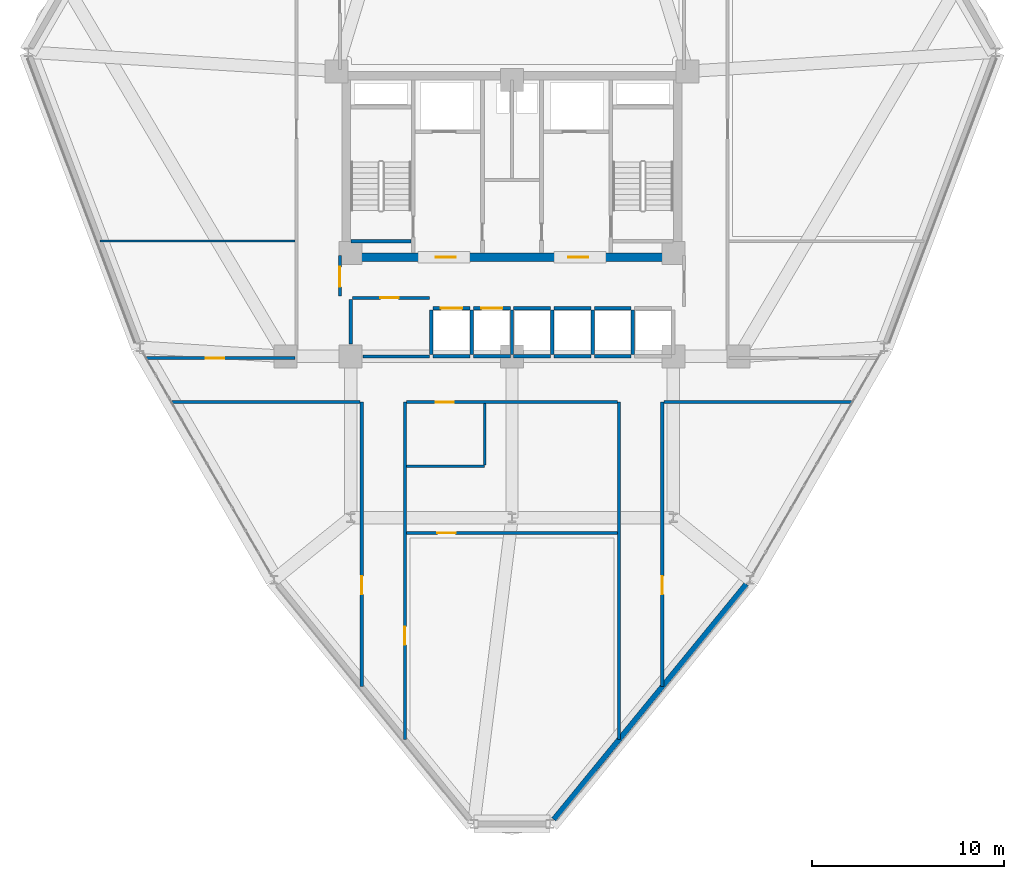
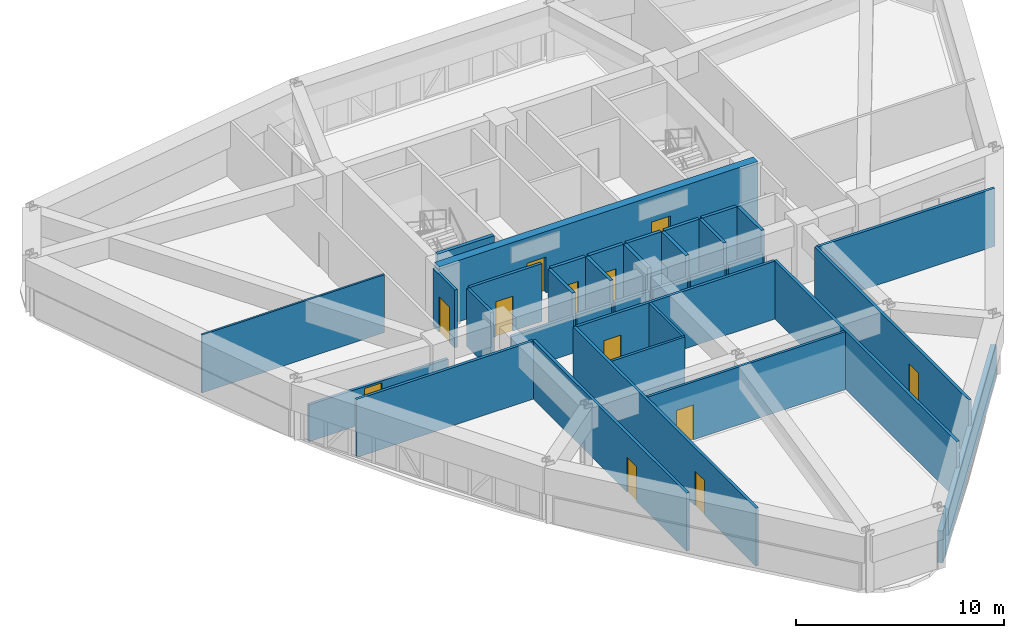
# One storey, part 10 of 15: 35 walls, 12 doors, 12 openings.
"""IFC4 building model written with IfcOpenShell, lengths in metres."""

import ifcopenshell
import ifcopenshell.guid

model = None  # the IFC model being written
_history = None  # IfcOwnerHistory: only IFC2X3 demands one
_inside = {}  # id of a spatial element -> (the spatial element, [elements in it])
_under = {}  # id of a project, library or spatial element -> (it, [spatial elements below it])
_declared = {}  # id of a project -> (the project, [libraries it declares])
_typed = {}  # id of a type object -> (the type object, [elements of that type])
_made_of = {}  # id of a material, layer set ... -> (it, [elements and type objects made of it])


def new_model(schema):
    """Start an empty IFC model of exactly this schema.

    Asked for "IFC4X3", IfcOpenShell would pick the latest addendum, in which some entities
    have other attributes; the version numbers below select the first issue.
    IFC2X3 requires an IfcOwnerHistory on every rooted entity: one is made here for all.
    """
    global model, _history
    if schema == "IFC4X3":
        model = ifcopenshell.file(schema_version=(4, 3, 0, 0))
    else:
        model = ifcopenshell.file(schema=schema)
    _inside.clear()
    _under.clear()
    _declared.clear()
    _typed.clear()
    _made_of.clear()
    _history = None
    if model.schema == "IFC2X3":
        org = make("IfcOrganization", Name="unknown")
        user = make(
            "IfcPersonAndOrganization",
            ThePerson=make("IfcPerson", FamilyName="unknown"),
            TheOrganization=org,
        )
        app = make(
            "IfcApplication",
            ApplicationDeveloper=org,
            Version="unknown",
            ApplicationFullName="unknown",
            ApplicationIdentifier="unknown",
        )
        _history = make(
            "IfcOwnerHistory",
            OwningUser=user,
            OwningApplication=app,
            ChangeAction="ADDED",
            CreationDate=0,
        )
    return model


def make(cls, **values):
    """One entity of the class cls with the attributes given. An attribute that is None is left unset."""
    return model.create_entity(
        cls, **{name: value for name, value in values.items() if value is not None}
    )


def rooted(cls, **values):
    """An entity with a GlobalId (a new one), such as an element, a storey or a relation."""
    return make(cls, GlobalId=ifcopenshell.guid.new(), OwnerHistory=_history, **values)


def si_unit(unit_type, name, prefix=None):
    """IfcSIUnit, for example si_unit("LENGTHUNIT", "METRE", prefix="MILLI")."""
    return make("IfcSIUnit", UnitType=unit_type, Prefix=prefix, Name=name)


def derived_unit(unit_type, elements):
    """IfcDerivedUnit: a product of units, each with its exponent."""
    return make(
        "IfcDerivedUnit",
        Elements=[
            make("IfcDerivedUnitElement", Unit=unit, Exponent=power)
            for unit, power in elements
        ],
        UnitType=unit_type,
    )


def assignment(units):
    """IfcUnitAssignment: the units of a project."""
    return None if units is None else make("IfcUnitAssignment", Units=units)


def point(xyz):
    """IfcCartesianPoint."""
    return None if xyz is None else make("IfcCartesianPoint", Coordinates=xyz)


def direction(xyz):
    """IfcDirection."""
    return None if xyz is None else make("IfcDirection", DirectionRatios=xyz)


def frame(location, z_axis=None, x_axis=None):
    """IfcAxis2Placement3D, a coordinate frame: its origin and axes. An axis left out is left unset."""
    return make(
        "IfcAxis2Placement3D",
        Location=point(location),
        Axis=direction(z_axis),
        RefDirection=direction(x_axis),
    )


def frame_2d(location, x_axis=None):
    """IfcAxis2Placement2D, a coordinate frame in the plane: its origin and x axis."""
    return make(
        "IfcAxis2Placement2D", Location=point(location), RefDirection=direction(x_axis)
    )


def origin():
    """The frame at (0, 0, 0) with its axes left unset."""
    return frame((0.0, 0.0, 0.0))


def place(relative_to, where):
    """IfcLocalPlacement: puts the frame where relative to a parent placement (None: the world)."""
    return make(
        "IfcLocalPlacement", PlacementRelTo=relative_to, RelativePlacement=where
    )


def context(
    kind, dimensions, precision=None, world=None, true_north=None, identifier=None
):
    """IfcGeometricRepresentationContext, for example the 3D "Model" context."""
    return make(
        "IfcGeometricRepresentationContext",
        ContextIdentifier=identifier,
        ContextType=kind,
        CoordinateSpaceDimension=dimensions,
        Precision=precision,
        WorldCoordinateSystem=world,
        TrueNorth=true_north,
    )


def subcontext(parent, identifier, kind, view, scale=None):
    """IfcGeometricRepresentationSubContext, for example "Body" below "Model"."""
    return make(
        "IfcGeometricRepresentationSubContext",
        ContextIdentifier=identifier,
        ContextType=kind,
        ParentContext=parent,
        TargetScale=scale,
        TargetView=view,
    )


def project(units=None, contexts=None):
    """IfcProject with its units and contexts."""
    return rooted(
        "IfcProject",
        Name="project",
        RepresentationContexts=contexts,
        UnitsInContext=assignment(units),
    )


def spatial(cls, under=None, at=None, **own):
    """A site, building, storey or space (cls), placed at a placement, below another one or the project."""
    s = rooted(cls, ObjectPlacement=at, **own)
    if under is not None:
        _under.setdefault(under.id(), (under, []))[1].append(s)
    return s


def profile(cls, at=None, kind="AREA", **sizes):
    """A parametric profile (cls). Its sizes go by their IFC names, for example OverallWidth=200.0."""
    return make(cls, ProfileType=kind, Position=at, **sizes)


def rectangle(**sizes):
    """IfcRectangleProfileDef."""
    return profile("IfcRectangleProfileDef", **sizes)


def extrude(swept, where, along, depth):
    """IfcExtrudedAreaSolid: the profile swept, set in the frame where, extruded along a direction by depth."""
    return make(
        "IfcExtrudedAreaSolid",
        SweptArea=swept,
        Position=where,
        ExtrudedDirection=direction(along),
        Depth=depth,
    )


def shape(context_of_items, identifier, shape_type, items):
    """IfcShapeRepresentation: the items that make up one representation, for example the "Body"."""
    return make(
        "IfcShapeRepresentation",
        ContextOfItems=context_of_items,
        RepresentationIdentifier=identifier,
        RepresentationType=shape_type,
        Items=items,
    )


def material(Name=None, Category=None):
    """IfcMaterial."""
    return make("IfcMaterial", Name=Name, Category=Category)


def layer(
    of_material, thickness, ventilated=None, Name=None, Category=None, Priority=None
):
    """IfcMaterialLayer: one layer of a wall or slab, of a material (None: an air gap)."""
    return make(
        "IfcMaterialLayer",
        Material=of_material,
        LayerThickness=thickness,
        IsVentilated=ventilated,
        Name=Name,
        Category=Category,
        Priority=Priority,
    )


def layer_set(layers, Name=None):
    """IfcMaterialLayerSet."""
    return make("IfcMaterialLayerSet", MaterialLayers=layers, LayerSetName=Name)


def made_of(thing, what):
    """Note that an element or type object is made of a material, layer set ...; save() writes the relation."""
    if what is not None:
        _made_of.setdefault(what.id(), (what, []))[1].append(thing)
    return thing


def type_object(cls, material=None, **own):
    """A type object (cls), such as IfcWallType, which elements share."""
    return made_of(rooted(cls, **own), material)


def element(
    cls,
    number,
    at=None,
    inside=None,
    cuts=None,
    type_object=None,
    material=None,
    context=None,
    identifier="Body",
    shape_type=None,
    held_by="IfcProductDefinitionShape",
    body=None,
    shapes=None,
    **own,
):
    """One element of the class cls, such as IfcWall. Its Tag is "e" and its number.

    at: its placement. inside: the storey or other place that contains it. cuts: it is an
    opening in that element (IfcRelVoidsElement). A single representation is given by context,
    identifier, shape_type and body (its items); several are given by shapes. held_by: the class
    of the entity that holds the representations. save() writes the other relations.
    """
    e = rooted(cls, Tag="e%d" % number, ObjectPlacement=at, **own)
    if body is not None:
        shapes = [shape(context, identifier, shape_type, body)]
    if shapes is not None:
        e.Representation = make(held_by, Representations=shapes)
    if inside is not None:
        _inside.setdefault(inside.id(), (inside, []))[1].append(e)
    if cuts is not None:
        rooted(
            "IfcRelVoidsElement", RelatingBuildingElement=cuts, RelatedOpeningElement=e
        )
    if type_object is not None:
        _typed.setdefault(type_object.id(), (type_object, []))[1].append(e)
    return made_of(e, material)


def fill(opening, filler):
    """IfcRelFillsElement: the door or window that sits in an opening."""
    return rooted(
        "IfcRelFillsElement",
        RelatingOpeningElement=opening,
        RelatedBuildingElement=filler,
    )


def aggregate(whole, parts):
    """IfcRelAggregates: a whole, such as a stair, and the parts it consists of."""
    return rooted("IfcRelAggregates", RelatingObject=whole, RelatedObjects=parts)


def save(model, path):
    """Write the relations noted so far, then the file.

    IfcRelAggregates (storeys below a building ...), IfcRelContainedInSpatialStructure (elements
    in a storey), IfcRelDefinesByType, IfcRelAssociatesMaterial and IfcRelDeclares: one each for
    every whole, place, type object, material and project.
    """
    for whole, parts in _under.values():
        aggregate(whole, parts)
    for where, things in _inside.values():
        rooted(
            "IfcRelContainedInSpatialStructure",
            RelatedElements=things,
            RelatingStructure=where,
        )
    for kind, things in _typed.values():
        rooted("IfcRelDefinesByType", RelatedObjects=things, RelatingType=kind)
    for what, things in _made_of.values():
        rooted("IfcRelAssociatesMaterial", RelatedObjects=things, RelatingMaterial=what)
    for by, libraries in _declared.values():
        rooted("IfcRelDeclares", RelatingContext=by, RelatedDefinitions=libraries)
    model.write(path)


model = new_model("IFC4")

# Units and contexts
model_context = context("Model", 3, precision=1e-05, world=origin(), true_north=direction((0.0, 1.0)))
body_context = subcontext(model_context, "Body", "Model", "MODEL_VIEW")
ifc_project = project(units=[si_unit("LENGTHUNIT", "METRE"), si_unit("AREAUNIT", "SQUARE_METRE"), si_unit("VOLUMEUNIT", "CUBIC_METRE"), si_unit("PLANEANGLEUNIT", "RADIAN"), si_unit("MASSUNIT", "GRAM", prefix="KILO"), derived_unit("THERMALTRANSMITTANCEUNIT", [(si_unit("POWERUNIT", "WATT"), 1), (si_unit("LENGTHUNIT", "METRE"), -2), (si_unit("THERMODYNAMICTEMPERATUREUNIT", "KELVIN"), -1)])], contexts=[model_context])

# Site, building, storey
site_placement = place(None, origin())
site = spatial("IfcSite", under=ifc_project, at=site_placement, CompositionType="ELEMENT")
building_placement = place(site_placement, origin())
building = spatial("IfcBuilding", under=site, at=building_placement, Name="Korsvarv Bourse and Concert Hall", CompositionType="ELEMENT")
storey_placement = place(building_placement, frame((0.0, 0.0, 109.800048828125)))
storey = spatial("IfcBuildingStorey", under=building, at=storey_placement, Name="L27", CompositionType="ELEMENT", Elevation=109.800048828125)

# Wall
ifc_material_1 = material(Name="Concrete C50/60", Category="concrete")
ifc_layer_1 = layer(ifc_material_1, 0.3798828125)
ifc_layer_set_1 = layer_set([ifc_layer_1], Name="Concrete C50/60")
wall_type_1 = type_object("IfcWallType", Name="WL-CORE-380", PredefinedType="SHEAR", material=ifc_layer_set_1)
wall_1_placement = place(storey_placement, frame((27.610107421875, 38.39990234375, 0.0), z_axis=(0.0, 0.0, 1.0), x_axis=(1.0, 0.0, 0.0)))
element("IfcWall", 1, at=wall_1_placement, inside=storey, type_object=wall_type_1, Name="L27 stair shaft structural wall W-L27-ST1-S", PredefinedType="SHEAR", context=body_context, shape_type="SweptSolid", body=[
    extrude(rectangle(XDim=3.139892578125, YDim=0.199951171875, at=frame_2d((1.56982421875, 0.0))), origin(), (0.0, 0.0, 1.0), 3.599853515625),
])

# Wall, openings, doors
ifc_material_2 = material(Name="Concrete C55/67", Category="concrete")
ifc_layer_2 = layer(ifc_material_2, 0.449951171875)
ifc_layer_set_2 = layer_set([ifc_layer_2], Name="Concrete C55/67")
wall_type_2 = type_object("IfcWallType", Name="WL-CORE-450", PredefinedType="SHEAR", material=ifc_layer_set_2)
wall_2_placement = place(storey_placement, frame((27.14990234375, 37.574951171875, 0.0), z_axis=(0.0, 0.0, 1.0), x_axis=(1.0, 0.0, 0.0)))
wall_2 = element("IfcWall", 2, at=wall_2_placement, inside=storey, type_object=wall_type_2, Name="L27 South Core Shear Wall", PredefinedType="SHEAR", context=body_context, shape_type="SweptSolid", body=[
    extrude(rectangle(XDim=17.7001953125, YDim=0.449951171875, at=frame_2d((8.85009765625, 0.0))), origin(), (0.0, 0.0, 1.0), 3.599853515625),
])
opening_1_placement = place(wall_2_placement, frame((4.875, 0.0, 0.0)))
opening_1 = element("IfcOpeningElement", 3, at=opening_1_placement, cuts=wall_2, Name="Opening D-01", PredefinedType="OPENING", context=body_context, shape_type="SweptSolid", body=[
    extrude(rectangle(XDim=1.050048828125, YDim=2.10009765625, at=frame_2d((0.52490234375, 1.050048828125))), frame((0.0, 0.23486328125, 0.0), z_axis=(0.0, -1.0, 0.0), x_axis=(1.0, 0.0, 0.0)), (0.0, 0.0, 1.0), 0.469970703125),
])
opening_2_placement = place(wall_2_placement, frame((11.77490234375, 0.0, 0.0)))
opening_2 = element("IfcOpeningElement", 4, at=opening_2_placement, cuts=wall_2, Name="Opening D-01", PredefinedType="OPENING", context=body_context, shape_type="SweptSolid", body=[
    extrude(rectangle(XDim=1.050048828125, YDim=2.10009765625, at=frame_2d((0.52490234375, 1.050048828125))), frame((0.0, 0.23486328125, 0.0), z_axis=(0.0, -1.0, 0.0), x_axis=(1.0, 0.0, 0.0)), (0.0, 0.0, 1.0), 0.469970703125),
])
ifc_material_3 = material(Name="Steel S355 fire door", Category="steel")
door_type_1 = type_object("IfcDoorType", Name="DR-FD60", OperationType="NOTDEFINED", PredefinedType="DOOR", material=ifc_material_3)
door_1_placement = place(opening_1_placement, frame((1.050048828125, 0.0, 0.0), z_axis=(0.0, 0.0, 1.0), x_axis=(-1.0, 0.0, 0.0)))
door_1 = element("IfcDoor", 5, at=door_1_placement, inside=storey, type_object=door_type_1, Name="L27 firefighting lobby fire door DR-L27-FFLW", OperationType="SINGLE_SWING_RIGHT", OverallHeight=2.10009765625, OverallWidth=1.050048828125, PredefinedType="DOOR", context=body_context, shape_type="SweptSolid", body=[
    extrude(rectangle(XDim=1.050048828125, YDim=2.10009765625, at=frame_2d((0.52490234375, 1.050048828125))), frame((0.0, 0.02490234375, 0.0), z_axis=(0.0, -1.0, 0.0), x_axis=(1.0, 0.0, 0.0)), (0.0, 0.0, 1.0), 0.050048828125),
])
fill(opening_1, door_1)
door_2_placement = place(opening_2_placement, frame((1.050048828125, 0.0, 0.0), z_axis=(0.0, 0.0, 1.0), x_axis=(-1.0, 0.0, 0.0)))
door_2 = element("IfcDoor", 6, at=door_2_placement, inside=storey, type_object=door_type_1, Name="L27 firefighting lobby fire door DR-L27-FFLE", OperationType="SINGLE_SWING_LEFT", OverallHeight=2.10009765625, OverallWidth=1.050048828125, PredefinedType="DOOR", context=body_context, shape_type="SweptSolid", body=[
    extrude(rectangle(XDim=1.050048828125, YDim=2.10009765625, at=frame_2d((0.52490234375, 1.050048828125))), frame((0.0, 0.02490234375, 0.0), z_axis=(0.0, -1.0, 0.0), x_axis=(1.0, 0.0, 0.0)), (0.0, 0.0, 1.0), 0.050048828125),
])
fill(opening_2, door_2)

# Walls
ifc_material_4 = material(Name="Precast concrete C45/55 with fluted terracotta pier", Category="concrete")
ifc_layer_3 = layer(ifc_material_4, 0.280029296875)
ifc_layer_set_3 = layer_set([ifc_layer_3], Name="Precast concrete C45/55 with fluted terracotta pier")
wall_type_3 = type_object("IfcWallType", Name="WL-EXT-TC2", PredefinedType="SOLIDWALL", material=ifc_layer_set_3)
wall_3_placement = place(storey_placement, frame((38.177490234375, 8.287353515625, 0.0), z_axis=(0.0, 0.0, 1.0), x_axis=(0.633140387555, 0.774036982092, 0.0)))
element("IfcWall", 7, at=wall_3_placement, inside=storey, type_object=wall_type_3, Name="L27 terracotta exterior wall EW-L27-B10", PredefinedType="SOLIDWALL", context=body_context, shape_type="SweptSolid", body=[
    extrude(rectangle(XDim=15.833984375, YDim=0.280029296875, at=frame_2d((7.9169921875, 0.0))), origin(), (0.0, 0.0, 1.0), 1.869873046875),
])
ifc_material_5 = material(Name="Double-stud fire-rated acoustic partition", Category="gypsum")
ifc_layer_4 = layer(ifc_material_5, 0.159912109375)
ifc_layer_set_4 = layer_set([ifc_layer_4], Name="Double-stud fire-rated acoustic partition")
wall_type_4 = type_object("IfcWallType", Name="WL-INT-EI60", PredefinedType="PARTITIONING", material=ifc_layer_set_4)
wall_4_placement = place(storey_placement, frame((28.25, 32.39990234375, 0.0), z_axis=(0.0, 0.0, 1.0), x_axis=(1.0, 0.0, 0.0)))
element("IfcWall", 8, at=wall_4_placement, inside=storey, type_object=wall_type_4, Name="L27 interior partition wall W-L27-FRD-S", PredefinedType="PARTITIONING", context=body_context, shape_type="SweptSolid", body=[
    extrude(rectangle(XDim=3.449951171875, YDim=0.159912109375, at=frame_2d((1.72509765625, 0.0))), origin(), (0.0, 0.0, 1.0), 2.159912109375),
])
wall_5_placement = place(storey_placement, frame((27.60009765625, 33.050048828125, 0.0), z_axis=(0.0, 0.0, 1.0), x_axis=(0.0, 1.0, 0.0)))
element("IfcWall", 9, at=wall_5_placement, inside=storey, type_object=wall_type_4, Name="L27 interior partition wall W-L27-FRD-W", PredefinedType="PARTITIONING", context=body_context, shape_type="SweptSolid", body=[
    extrude(rectangle(XDim=2.31005859375, YDim=0.159912109375, at=frame_2d((1.155029296875, 0.0))), origin(), (0.0, 0.0, 1.0), 3.39990234375),
])

# Wall, opening, door
wall_6_placement = place(storey_placement, frame((27.68994140625, 35.449951171875, 0.0), z_axis=(0.0, 0.0, 1.0), x_axis=(1.0, 0.0, 0.0)))
wall_6 = element("IfcWall", 10, at=wall_6_placement, inside=storey, type_object=wall_type_4, Name="L27 interior partition wall W-L27-FRD-N", PredefinedType="PARTITIONING", context=body_context, shape_type="SweptSolid", body=[
    extrude(rectangle(XDim=4.010009765625, YDim=0.159912109375, at=frame_2d((2.0048828125, 0.0))), origin(), (0.0, 0.0, 1.0), 3.39990234375),
])
opening_3_placement = place(wall_6_placement, frame((1.449951171875, 0.0, 0.0)))
opening_3 = element("IfcOpeningElement", 11, at=opening_3_placement, cuts=wall_6, Name="Opening D-03", PredefinedType="OPENING", context=body_context, shape_type="SweptSolid", body=[
    extrude(rectangle(XDim=0.949951171875, YDim=2.050048828125, at=frame_2d((0.47509765625, 1.02490234375))), frame((0.0, 0.08984375, 0.0), z_axis=(0.0, -1.0, 0.0), x_axis=(1.0, 0.0, 0.0)), (0.0, 0.0, 1.0), 0.179931640625),
])
ifc_material_6 = material(Name="Nordic oak acoustic office door", Category="wood")
door_type_2 = type_object("IfcDoorType", Name="DR-INT-1", OperationType="NOTDEFINED", PredefinedType="DOOR", material=ifc_material_6)
door_3_placement = place(opening_3_placement, origin())
door_3 = element("IfcDoor", 12, at=door_3_placement, inside=storey, type_object=door_type_2, Name="L27 interior door DR-L27-FRDN1", OperationType="SINGLE_SWING_LEFT", OverallHeight=2.050048828125, OverallWidth=0.949951171875, PredefinedType="DOOR", context=body_context, shape_type="SweptSolid", body=[
    extrude(rectangle(XDim=0.949951171875, YDim=2.050048828125, at=frame_2d((0.47509765625, 1.02490234375))), frame((0.0, 0.02490234375, 0.0), z_axis=(0.0, -1.0, 0.0), x_axis=(1.0, 0.0, 0.0)), (0.0, 0.0, 1.0), 0.050048828125),
])
fill(opening_3, door_3)

wall_7_placement = place(storey_placement, frame((27.0400390625, 35.5400390625, 0.0), z_axis=(0.0, 0.0, 1.0), x_axis=(0.0, 1.0, 0.0)))
wall_7 = element("IfcWall", 13, at=wall_7_placement, inside=storey, type_object=wall_type_4, Name="L27 interior partition wall W-L27-LOB-WL", PredefinedType="PARTITIONING", context=body_context, shape_type="SweptSolid", body=[
    extrude(rectangle(XDim=2.10986328125, YDim=0.159912109375, at=frame_2d((1.054931640625, 0.0))), origin(), (0.0, 0.0, 1.0), 3.39990234375),
])
opening_4_placement = place(wall_7_placement, frame((0.47998046875, 0.0, 0.0)))
opening_4 = element("IfcOpeningElement", 14, at=opening_4_placement, cuts=wall_7, Name="Opening D-01", PredefinedType="OPENING", context=body_context, shape_type="SweptSolid", body=[
    extrude(rectangle(XDim=1.050048828125, YDim=2.10009765625, at=frame_2d((0.52490234375, 1.050048828125))), frame((0.0, 0.08984375, 0.0), z_axis=(0.0, -1.0, 0.0), x_axis=(1.0, 0.0, 0.0)), (0.0, 0.0, 1.0), 0.179931640625),
])
door_4_placement = place(opening_4_placement, frame((1.050048828125, 0.0, 0.0), z_axis=(0.0, 0.0, 1.0), x_axis=(-1.0, 0.0, 0.0)))
door_4 = element("IfcDoor", 15, at=door_4_placement, inside=storey, type_object=door_type_1, Name="L27 interior door DR-L27-LOBW", OperationType="SINGLE_SWING_RIGHT", OverallHeight=2.10009765625, OverallWidth=1.050048828125, PredefinedType="DOOR", context=body_context, shape_type="SweptSolid", body=[
    extrude(rectangle(XDim=1.050048828125, YDim=2.10009765625, at=frame_2d((0.52490234375, 1.050048828125))), frame((0.0, 0.02490234375, 0.0), z_axis=(0.0, -1.0, 0.0), x_axis=(1.0, 0.0, 0.0)), (0.0, 0.0, 1.0), 0.050048828125),
])
fill(opening_4, door_4)

wall_8_placement = place(storey_placement, frame((30.425048828125, 12.4609375, 0.0), z_axis=(0.0, 0.0, 1.0), x_axis=(0.0, 1.0, 0.0)))
wall_8 = element("IfcWall", 16, at=wall_8_placement, inside=storey, type_object=wall_type_4, Name="L27 interior partition wall W-L27-TCOR-03", PredefinedType="PARTITIONING", context=body_context, shape_type="SweptSolid", body=[
    extrude(rectangle(XDim=17.569091796875, YDim=0.159912109375, at=frame_2d((8.78466796875, 0.0))), origin(), (0.0, 0.0, 1.0), 3.39990234375),
])
opening_5_placement = place(wall_8_placement, frame((4.915771484375, 0.0, 0.0)))
opening_5 = element("IfcOpeningElement", 17, at=opening_5_placement, cuts=wall_8, Name="Opening D-02", PredefinedType="OPENING", context=body_context, shape_type="SweptSolid", body=[
    extrude(rectangle(XDim=0.949951171875, YDim=2.050048828125, at=frame_2d((0.47509765625, 1.02490234375))), frame((0.0, 0.08984375, 0.0), z_axis=(0.0, -1.0, 0.0), x_axis=(1.0, 0.0, 0.0)), (0.0, 0.0, 1.0), 0.179931640625),
])
ifc_material_7 = material(Name="Timber and steel acoustic fire door", Category="wood")
door_type_3 = type_object("IfcDoorType", Name="DR-FD30", OperationType="NOTDEFINED", PredefinedType="DOOR", material=ifc_material_7)
door_5_placement = place(opening_5_placement, origin())
door_5 = element("IfcDoor", 18, at=door_5_placement, inside=storey, type_object=door_type_3, Name="L27 interior door DR-L27-TCOR-CL25", OperationType="SINGLE_SWING_RIGHT", OverallHeight=2.050048828125, OverallWidth=0.949951171875, PredefinedType="DOOR", context=body_context, shape_type="SweptSolid", body=[
    extrude(rectangle(XDim=0.949951171875, YDim=2.050048828125, at=frame_2d((0.47509765625, 1.02490234375))), frame((0.0, 0.02490234375, 0.0), z_axis=(0.0, -1.0, 0.0), x_axis=(1.0, 0.0, 0.0)), (0.0, 0.0, 1.0), 0.050048828125),
])
fill(opening_5, door_5)

# Wall
wall_9_placement = place(storey_placement, frame((41.574951171875, 12.4609375, 0.0), z_axis=(0.0, 0.0, 1.0), x_axis=(0.0, 1.0, 0.0)))
element("IfcWall", 19, at=wall_9_placement, inside=storey, type_object=wall_type_4, Name="L27 interior partition wall W-L27-TCOR-04", PredefinedType="PARTITIONING", context=body_context, shape_type="SweptSolid", body=[
    extrude(rectangle(XDim=17.569091796875, YDim=0.159912109375, at=frame_2d((8.78466796875, 0.0))), origin(), (0.0, 0.0, 1.0), 3.39990234375),
])

# Wall, opening, door
wall_10_placement = place(storey_placement, frame((28.175048828125, 15.211669921875, 0.0), z_axis=(0.0, 0.0, 1.0), x_axis=(0.0, 1.0, 0.0)))
wall_10 = element("IfcWall", 20, at=wall_10_placement, inside=storey, type_object=wall_type_4, Name="L27 interior partition wall W-L27-TCOR-05", PredefinedType="PARTITIONING", context=body_context, shape_type="SweptSolid", body=[
    extrude(rectangle(XDim=14.818359375, YDim=0.159912109375, at=frame_2d((7.4091796875, 0.0))), origin(), (0.0, 0.0, 1.0), 3.39990234375),
])
opening_6_placement = place(wall_10_placement, frame((4.800537109375, 0.0, 0.0)))
opening_6 = element("IfcOpeningElement", 21, at=opening_6_placement, cuts=wall_10, Name="Opening D-02", PredefinedType="OPENING", context=body_context, shape_type="SweptSolid", body=[
    extrude(rectangle(XDim=0.949951171875, YDim=2.050048828125, at=frame_2d((0.47509765625, 1.02490234375))), frame((0.0, 0.08984375, 0.0), z_axis=(0.0, -1.0, 0.0), x_axis=(1.0, 0.0, 0.0)), (0.0, 0.0, 1.0), 0.179931640625),
])
door_6_placement = place(opening_6_placement, origin())
door_6 = element("IfcDoor", 22, at=door_6_placement, inside=storey, type_object=door_type_3, Name="L27 interior door DR-L27-TCOR-GYM7", OperationType="SINGLE_SWING_LEFT", OverallHeight=2.050048828125, OverallWidth=0.949951171875, PredefinedType="DOOR", context=body_context, shape_type="SweptSolid", body=[
    extrude(rectangle(XDim=0.949951171875, YDim=2.050048828125, at=frame_2d((0.47509765625, 1.02490234375))), frame((0.0, 0.02490234375, 0.0), z_axis=(0.0, -1.0, 0.0), x_axis=(1.0, 0.0, 0.0)), (0.0, 0.0, 1.0), 0.050048828125),
])
fill(opening_6, door_6)

wall_11_placement = place(storey_placement, frame((43.824951171875, 15.211669921875, 0.0), z_axis=(0.0, 0.0, 1.0), x_axis=(0.0, 1.0, 0.0)))
wall_11 = element("IfcWall", 23, at=wall_11_placement, inside=storey, type_object=wall_type_4, Name="L27 interior partition wall W-L27-TCOR-06", PredefinedType="PARTITIONING", context=body_context, shape_type="SweptSolid", body=[
    extrude(rectangle(XDim=14.818359375, YDim=0.159912109375, at=frame_2d((7.4091796875, 0.0))), origin(), (0.0, 0.0, 1.0), 3.39990234375),
])
opening_7_placement = place(wall_11_placement, frame((4.800537109375, 0.0, 0.0)))
opening_7 = element("IfcOpeningElement", 24, at=opening_7_placement, cuts=wall_11, Name="Opening D-02", PredefinedType="OPENING", context=body_context, shape_type="SweptSolid", body=[
    extrude(rectangle(XDim=0.949951171875, YDim=2.050048828125, at=frame_2d((0.47509765625, 1.02490234375))), frame((0.0, 0.08984375, 0.0), z_axis=(0.0, -1.0, 0.0), x_axis=(1.0, 0.0, 0.0)), (0.0, 0.0, 1.0), 0.179931640625),
])
door_7_placement = place(opening_7_placement, origin())
door_7 = element("IfcDoor", 25, at=door_7_placement, inside=storey, type_object=door_type_3, Name="L27 interior door DR-L27-TCOR-SPA3", OperationType="SINGLE_SWING_RIGHT", OverallHeight=2.050048828125, OverallWidth=0.949951171875, PredefinedType="DOOR", context=body_context, shape_type="SweptSolid", body=[
    extrude(rectangle(XDim=0.949951171875, YDim=2.050048828125, at=frame_2d((0.47509765625, 1.02490234375))), frame((0.0, 0.02490234375, 0.0), z_axis=(0.0, -1.0, 0.0), x_axis=(1.0, 0.0, 0.0)), (0.0, 0.0, 1.0), 0.050048828125),
])
fill(opening_7, door_7)

wall_12_placement = place(storey_placement, frame((30.507080078125, 30.02490234375, 0.0), z_axis=(0.0, 0.0, 1.0), x_axis=(1.0, 0.0, 0.0)))
wall_12 = element("IfcWall", 26, at=wall_12_placement, inside=storey, type_object=wall_type_4, Name="L27 interior partition wall W-L27-TCOR-07", PredefinedType="PARTITIONING", context=body_context, shape_type="SweptSolid", body=[
    extrude(rectangle(XDim=10.98583984375, YDim=0.159912109375, at=frame_2d((5.492919921875, 0.0))), origin(), (0.0, 0.0, 1.0), 3.39990234375),
])
opening_8_placement = place(wall_12_placement, frame((1.51220703125, 0.0, 0.0)))
opening_8 = element("IfcOpeningElement", 27, at=opening_8_placement, cuts=wall_12, Name="Opening D-02", PredefinedType="OPENING", context=body_context, shape_type="SweptSolid", body=[
    extrude(rectangle(XDim=0.949951171875, YDim=2.050048828125, at=frame_2d((0.47509765625, 1.02490234375))), frame((0.0, 0.08984375, 0.0), z_axis=(0.0, -1.0, 0.0), x_axis=(1.0, 0.0, 0.0)), (0.0, 0.0, 1.0), 0.179931640625),
])
door_8_placement = place(opening_8_placement, origin())
door_8 = element("IfcDoor", 28, at=door_8_placement, inside=storey, type_object=door_type_3, Name="L27 interior door DR-L27-TCOR-RWC", OperationType="SINGLE_SWING_LEFT", OverallHeight=2.050048828125, OverallWidth=0.949951171875, PredefinedType="DOOR", context=body_context, shape_type="SweptSolid", body=[
    extrude(rectangle(XDim=0.949951171875, YDim=2.050048828125, at=frame_2d((0.47509765625, 1.02490234375))), frame((0.0, 0.02490234375, 0.0), z_axis=(0.0, -1.0, 0.0), x_axis=(1.0, 0.0, 0.0)), (0.0, 0.0, 1.0), 0.050048828125),
])
fill(opening_8, door_8)

# Walls
for number, where, z_axis, x_axis, name in (
    (29, (18.287109375, 30.02490234375, 0.0), (0.0, 0.0, 1.0), (1.0, 0.0, 0.0), "L27 interior partition wall W-L27-TCOR-08"),
    (30, (43.906982421875, 30.02490234375, 0.0), (0.0, 0.0, 1.0), (1.0, 0.0, 0.0), "L27 interior partition wall W-L27-TCOR-09"),
):
    element("IfcWall", number, at=place(storey_placement, frame(where, z_axis=z_axis, x_axis=x_axis)), inside=storey, type_object=wall_type_4, Name=name, PredefinedType="PARTITIONING", context=body_context, shape_type="SweptSolid", body=[
        extrude(rectangle(XDim=9.805908203125, YDim=0.159912109375, at=frame_2d((4.90283203125, 0.0))), origin(), (0.0, 0.0, 1.0), 3.39990234375),
    ])

# Wall, opening, door
wall_13_placement = place(storey_placement, frame((16.965087890625, 32.31494140625, 0.0), z_axis=(0.0, 0.0, 1.0), x_axis=(1.0, 0.0, 0.0)))
wall_13 = element("IfcWall", 31, at=wall_13_placement, inside=storey, type_object=wall_type_4, Name="L27 interior partition wall W-L27-TCOR-10", PredefinedType="PARTITIONING", context=body_context, shape_type="SweptSolid", body=[
    extrude(rectangle(XDim=7.72802734375, YDim=0.159912109375, at=frame_2d((3.864013671875, 0.0))), origin(), (0.0, 0.0, 1.0), 2.159912109375),
])
opening_9_placement = place(wall_13_placement, frame((3.0869140625, 0.0, 0.0)))
opening_9 = element("IfcOpeningElement", 32, at=opening_9_placement, cuts=wall_13, Name="Opening D-02", PredefinedType="OPENING", context=body_context, shape_type="SweptSolid", body=[
    extrude(rectangle(XDim=0.949951171875, YDim=2.050048828125, at=frame_2d((0.47509765625, 1.02490234375))), frame((0.0, 0.08984375, 0.0), z_axis=(0.0, -1.0, 0.0), x_axis=(1.0, 0.0, 0.0)), (0.0, 0.0, 1.0), 0.179931640625),
])
door_9_placement = place(opening_9_placement, origin())
door_9 = element("IfcDoor", 33, at=door_9_placement, inside=storey, type_object=door_type_3, Name="L27 interior door DR-L27-TCOR-YOG8", OperationType="SINGLE_SWING_RIGHT", OverallHeight=2.050048828125, OverallWidth=0.949951171875, PredefinedType="DOOR", context=body_context, shape_type="SweptSolid", body=[
    extrude(rectangle(XDim=0.949951171875, YDim=2.050048828125, at=frame_2d((0.47509765625, 1.02490234375))), frame((0.0, 0.02490234375, 0.0), z_axis=(0.0, -1.0, 0.0), x_axis=(1.0, 0.0, 0.0)), (0.0, 0.0, 1.0), 0.050048828125),
])
fill(opening_9, door_9)

ifc_material_8 = material(Name="Gypsum-clad autoclaved concrete shaft wall C30/37", Category="concrete")
ifc_layer_5 = layer(ifc_material_8, 0.179931640625)
ifc_layer_set_5 = layer_set([ifc_layer_5], Name="Gypsum-clad autoclaved concrete shaft wall C30/37")
wall_type_5 = type_object("IfcWallType", Name="WL-INT-EI90", PredefinedType="PARTITIONING", material=ifc_layer_set_5)
wall_14_placement = place(storey_placement, frame((31.889892578125, 34.89990234375, 0.0), z_axis=(0.0, 0.0, 1.0), x_axis=(1.0, 0.0, 0.0)))
wall_14 = element("IfcWall", 34, at=wall_14_placement, inside=storey, type_object=wall_type_5, Name="L27 interior partition wall W-L27-SHFN-PM1", PredefinedType="PARTITIONING", context=body_context, shape_type="SweptSolid", body=[
    extrude(rectangle(XDim=1.920166015625, YDim=0.179931640625, at=frame_2d((0.9599609375, 0.0))), origin(), (0.0, 0.0, 1.0), 3.39990234375),
])
opening_10_placement = place(wall_14_placement, frame((0.409912109375, 0.0, 0.0)))
opening_10 = element("IfcOpeningElement", 35, at=opening_10_placement, cuts=wall_14, Name="Opening LD-2", PredefinedType="OPENING", context=body_context, shape_type="SweptSolid", body=[
    extrude(rectangle(XDim=1.10009765625, YDim=2.10009765625, at=frame_2d((0.550048828125, 1.050048828125))), frame((0.0, 0.10009765625, 0.0), z_axis=(0.0, -1.0, 0.0), x_axis=(1.0, 0.0, 0.0)), (0.0, 0.0, 1.0), 0.199951171875),
])
ifc_material_9 = material(Name="Brushed stainless Steel S355 lift landing door", Category="steel")
door_type_4 = type_object("IfcDoorType", Name="DR-LIFT-P", OperationType="DOUBLE_DOOR_SLIDING", PredefinedType="DOOR", material=ifc_material_9)
door_10_placement = place(opening_10_placement, origin())
door_10 = element("IfcDoor", 36, at=door_10_placement, inside=storey, type_object=door_type_4, Name="L27 lift sliding landing door LD-L27-PM1", OperationType="DOUBLE_DOOR_SLIDING", OverallHeight=2.10009765625, OverallWidth=1.10009765625, PredefinedType="DOOR", context=body_context, shape_type="SweptSolid", body=[
    extrude(rectangle(XDim=1.10009765625, YDim=2.10009765625, at=frame_2d((0.550048828125, 1.050048828125))), frame((0.0, 0.02490234375, 0.0), z_axis=(0.0, -1.0, 0.0), x_axis=(1.0, 0.0, 0.0)), (0.0, 0.0, 1.0), 0.050048828125),
])
fill(opening_10, door_10)

# Walls
wall_15_placement = place(storey_placement, frame((31.889892578125, 32.39990234375, 0.0), z_axis=(0.0, 0.0, 1.0), x_axis=(1.0, 0.0, 0.0)))
element("IfcWall", 37, at=wall_15_placement, inside=storey, type_object=wall_type_5, Name="L27 interior partition wall W-L27-SHFS-PM1", PredefinedType="PARTITIONING", context=body_context, shape_type="SweptSolid", body=[
    extrude(rectangle(XDim=1.920166015625, YDim=0.179931640625, at=frame_2d((0.9599609375, 0.0))), origin(), (0.0, 0.0, 1.0), 2.159912109375),
])
wall_16_placement = place(storey_placement, frame((31.800048828125, 32.489990234375, 0.0), z_axis=(0.0, 0.0, 1.0), x_axis=(0.0, 1.0, 0.0)))
element("IfcWall", 38, at=wall_16_placement, inside=storey, type_object=wall_type_5, Name="L27 interior partition wall W-L27-SHFW-PM1", PredefinedType="PARTITIONING", context=body_context, shape_type="SweptSolid", body=[
    extrude(rectangle(XDim=2.320068359375, YDim=0.179931640625, at=frame_2d((1.16015625, 0.0))), origin(), (0.0, 0.0, 1.0), 3.39990234375),
])

# Wall, opening, door
wall_17_placement = place(storey_placement, frame((33.989990234375, 34.89990234375, 0.0), z_axis=(0.0, 0.0, 1.0), x_axis=(1.0, 0.0, 0.0)))
wall_17 = element("IfcWall", 39, at=wall_17_placement, inside=storey, type_object=wall_type_5, Name="L27 interior partition wall W-L27-SHFN-PM2", PredefinedType="PARTITIONING", context=body_context, shape_type="SweptSolid", body=[
    extrude(rectangle(XDim=1.919921875, YDim=0.179931640625, at=frame_2d((0.9599609375, 0.0))), origin(), (0.0, 0.0, 1.0), 3.39990234375),
])
opening_11_placement = place(wall_17_placement, frame((0.409912109375, 0.0, 0.0)))
opening_11 = element("IfcOpeningElement", 40, at=opening_11_placement, cuts=wall_17, Name="Opening LD-2", PredefinedType="OPENING", context=body_context, shape_type="SweptSolid", body=[
    extrude(rectangle(XDim=1.10009765625, YDim=2.10009765625, at=frame_2d((0.550048828125, 1.050048828125))), frame((0.0, 0.10009765625, 0.0), z_axis=(0.0, -1.0, 0.0), x_axis=(1.0, 0.0, 0.0)), (0.0, 0.0, 1.0), 0.199951171875),
])
door_11_placement = place(opening_11_placement, origin())
door_11 = element("IfcDoor", 41, at=door_11_placement, inside=storey, type_object=door_type_4, Name="L27 lift sliding landing door LD-L27-PM2", OperationType="DOUBLE_DOOR_SLIDING", OverallHeight=2.10009765625, OverallWidth=1.10009765625, PredefinedType="DOOR", context=body_context, shape_type="SweptSolid", body=[
    extrude(rectangle(XDim=1.10009765625, YDim=2.10009765625, at=frame_2d((0.550048828125, 1.050048828125))), frame((0.0, 0.02490234375, 0.0), z_axis=(0.0, -1.0, 0.0), x_axis=(1.0, 0.0, 0.0)), (0.0, 0.0, 1.0), 0.050048828125),
])
fill(opening_11, door_11)

# Walls
wall_18_placement = place(storey_placement, frame((33.989990234375, 32.39990234375, 0.0), z_axis=(0.0, 0.0, 1.0), x_axis=(1.0, 0.0, 0.0)))
element("IfcWall", 42, at=wall_18_placement, inside=storey, type_object=wall_type_5, Name="L27 interior partition wall W-L27-SHFS-PM2", PredefinedType="PARTITIONING", context=body_context, shape_type="SweptSolid", body=[
    extrude(rectangle(XDim=1.919921875, YDim=0.179931640625, at=frame_2d((0.9599609375, 0.0))), origin(), (0.0, 0.0, 1.0), 2.159912109375),
])
wall_19_placement = place(storey_placement, frame((33.89990234375, 32.489990234375, 0.0), z_axis=(0.0, 0.0, 1.0), x_axis=(0.0, 1.0, 0.0)))
element("IfcWall", 43, at=wall_19_placement, inside=storey, type_object=wall_type_5, Name="L27 interior partition wall W-L27-SHFW-PM2", PredefinedType="PARTITIONING", context=body_context, shape_type="SweptSolid", body=[
    extrude(rectangle(XDim=2.320068359375, YDim=0.179931640625, at=frame_2d((1.16015625, 0.0))), origin(), (0.0, 0.0, 1.0), 3.39990234375),
])
wall_20_placement = place(storey_placement, frame((36.090087890625, 34.89990234375, 0.0), z_axis=(0.0, 0.0, 1.0), x_axis=(1.0, 0.0, 0.0)))
element("IfcWall", 44, at=wall_20_placement, inside=storey, type_object=wall_type_5, Name="L27 interior partition wall W-L27-SHFN-PH1", PredefinedType="PARTITIONING", context=body_context, shape_type="SweptSolid", body=[
    extrude(rectangle(XDim=1.919921875, YDim=0.179931640625, at=frame_2d((0.9599609375, 0.0))), origin(), (0.0, 0.0, 1.0), 3.39990234375),
])
wall_21_placement = place(storey_placement, frame((36.090087890625, 32.39990234375, 0.0), z_axis=(0.0, 0.0, 1.0), x_axis=(1.0, 0.0, 0.0)))
element("IfcWall", 45, at=wall_21_placement, inside=storey, type_object=wall_type_5, Name="L27 interior partition wall W-L27-SHFS-PH1", PredefinedType="PARTITIONING", context=body_context, shape_type="SweptSolid", body=[
    extrude(rectangle(XDim=1.919921875, YDim=0.179931640625, at=frame_2d((0.9599609375, 0.0))), origin(), (0.0, 0.0, 1.0), 2.159912109375),
])
wall_22_placement = place(storey_placement, frame((36.0, 32.489990234375, 0.0), z_axis=(0.0, 0.0, 1.0), x_axis=(0.0, 1.0, 0.0)))
element("IfcWall", 46, at=wall_22_placement, inside=storey, type_object=wall_type_5, Name="L27 interior partition wall W-L27-SHFW-PH1", PredefinedType="PARTITIONING", context=body_context, shape_type="SweptSolid", body=[
    extrude(rectangle(XDim=2.320068359375, YDim=0.179931640625, at=frame_2d((1.16015625, 0.0))), origin(), (0.0, 0.0, 1.0), 3.39990234375),
])
wall_23_placement = place(storey_placement, frame((38.18994140625, 34.89990234375, 0.0), z_axis=(0.0, 0.0, 1.0), x_axis=(1.0, 0.0, 0.0)))
element("IfcWall", 47, at=wall_23_placement, inside=storey, type_object=wall_type_5, Name="L27 interior partition wall W-L27-SHFN-PH2", PredefinedType="PARTITIONING", context=body_context, shape_type="SweptSolid", body=[
    extrude(rectangle(XDim=1.920166015625, YDim=0.179931640625, at=frame_2d((0.9599609375, 0.0))), origin(), (0.0, 0.0, 1.0), 3.39990234375),
])
wall_24_placement = place(storey_placement, frame((38.18994140625, 32.39990234375, 0.0), z_axis=(0.0, 0.0, 1.0), x_axis=(1.0, 0.0, 0.0)))
element("IfcWall", 48, at=wall_24_placement, inside=storey, type_object=wall_type_5, Name="L27 interior partition wall W-L27-SHFS-PH2", PredefinedType="PARTITIONING", context=body_context, shape_type="SweptSolid", body=[
    extrude(rectangle(XDim=1.920166015625, YDim=0.179931640625, at=frame_2d((0.9599609375, 0.0))), origin(), (0.0, 0.0, 1.0), 2.159912109375),
])
wall_25_placement = place(storey_placement, frame((38.10009765625, 32.489990234375, 0.0), z_axis=(0.0, 0.0, 1.0), x_axis=(0.0, 1.0, 0.0)))
element("IfcWall", 49, at=wall_25_placement, inside=storey, type_object=wall_type_5, Name="L27 interior partition wall W-L27-SHFW-PH2", PredefinedType="PARTITIONING", context=body_context, shape_type="SweptSolid", body=[
    extrude(rectangle(XDim=2.320068359375, YDim=0.179931640625, at=frame_2d((1.16015625, 0.0))), origin(), (0.0, 0.0, 1.0), 3.39990234375),
])
wall_26_placement = place(storey_placement, frame((40.2900390625, 34.89990234375, 0.0), z_axis=(0.0, 0.0, 1.0), x_axis=(1.0, 0.0, 0.0)))
element("IfcWall", 50, at=wall_26_placement, inside=storey, type_object=wall_type_5, Name="L27 interior partition wall W-L27-SHFN-PO1", PredefinedType="PARTITIONING", context=body_context, shape_type="SweptSolid", body=[
    extrude(rectangle(XDim=1.919921875, YDim=0.179931640625, at=frame_2d((0.9599609375, 0.0))), origin(), (0.0, 0.0, 1.0), 3.39990234375),
])
wall_27_placement = place(storey_placement, frame((40.2900390625, 32.39990234375, 0.0), z_axis=(0.0, 0.0, 1.0), x_axis=(1.0, 0.0, 0.0)))
element("IfcWall", 51, at=wall_27_placement, inside=storey, type_object=wall_type_5, Name="L27 interior partition wall W-L27-SHFS-PO1", PredefinedType="PARTITIONING", context=body_context, shape_type="SweptSolid", body=[
    extrude(rectangle(XDim=1.919921875, YDim=0.179931640625, at=frame_2d((0.9599609375, 0.0))), origin(), (0.0, 0.0, 1.0), 2.159912109375),
])
for number, where, z_axis, x_axis, name in (
    (52, (40.199951171875, 32.489990234375, 0.0), (0.0, 0.0, 1.0), (0.0, 1.0, 0.0), "L27 interior partition wall W-L27-SHFW-PO1"),
    (53, (42.300048828125, 32.489990234375, 0.0), (0.0, 0.0, 1.0), (0.0, 1.0, 0.0), "L27 interior partition wall W-L27-SHFW-PO2"),
):
    element("IfcWall", number, at=place(storey_placement, frame(where, z_axis=z_axis, x_axis=x_axis)), inside=storey, type_object=wall_type_5, Name=name, PredefinedType="PARTITIONING", context=body_context, shape_type="SweptSolid", body=[
        extrude(rectangle(XDim=2.320068359375, YDim=0.179931640625, at=frame_2d((1.16015625, 0.0))), origin(), (0.0, 0.0, 1.0), 3.39990234375),
    ])
ifc_material_10 = material(Name="Demountable acoustic glass and aluminium dealing partition", Category="aluminium")
ifc_layer_6 = layer(ifc_material_10, 0.110107421875)
ifc_layer_set_6 = layer_set([ifc_layer_6], Name="Demountable acoustic glass and aluminium dealing partition")
wall_type_6 = type_object("IfcWallType", Name="WL-INT-MOV", PredefinedType="MOVABLE", material=ifc_layer_set_6)
wall_28_placement = place(storey_placement, frame((14.54931640625, 38.405029296875, 0.0), z_axis=(0.0, 0.0, 1.0), x_axis=(1.0, 0.0, 0.0)))
element("IfcWall", 54, at=wall_28_placement, inside=storey, type_object=wall_type_6, Name="L27 interior partition wall W-L27-TCOR-15", PredefinedType="MOVABLE", context=body_context, shape_type="SweptSolid", body=[
    extrude(rectangle(XDim=10.143798828125, YDim=0.110107421875, at=frame_2d((5.07177734375, 0.0))), origin(), (0.0, 0.0, 1.0), 3.39990234375),
])

# Wall, opening, door
ifc_material_11 = material(Name="Insulated steel-stud office acoustic partition", Category="gypsum")
ifc_layer_7 = layer(ifc_material_11, 0.139892578125)
ifc_layer_set_7 = layer_set([ifc_layer_7], Name="Insulated steel-stud office acoustic partition")
wall_type_7 = type_object("IfcWallType", Name="WL-INT-P1", PredefinedType="PARTITIONING", material=ifc_layer_set_7)
wall_29_placement = place(storey_placement, frame((30.507080078125, 23.205078125, 0.0), z_axis=(0.0, 0.0, 1.0), x_axis=(1.0, 0.0, 0.0)))
wall_29 = element("IfcWall", 55, at=wall_29_placement, inside=storey, type_object=wall_type_7, Name="L27 interior partition wall W-L27-TCOR-14", PredefinedType="PARTITIONING", context=body_context, shape_type="SweptSolid", body=[
    extrude(rectangle(XDim=10.98583984375, YDim=0.139892578125, at=frame_2d((5.492919921875, 0.0))), origin(), (0.0, 0.0, 1.0), 3.39990234375),
])
opening_12_placement = place(wall_29_placement, frame((1.601318359375, 0.0, 0.0)))
opening_12 = element("IfcOpeningElement", 56, at=opening_12_placement, cuts=wall_29, Name="Opening D-03", PredefinedType="OPENING", context=body_context, shape_type="SweptSolid", body=[
    extrude(rectangle(XDim=0.949951171875, YDim=2.050048828125, at=frame_2d((0.47509765625, 1.02490234375))), frame((0.0, 0.080078125, 0.0), z_axis=(0.0, -1.0, 0.0), x_axis=(1.0, 0.0, 0.0)), (0.0, 0.0, 1.0), 0.159912109375),
])
door_12_placement = place(opening_12_placement, origin())
door_12 = element("IfcDoor", 57, at=door_12_placement, inside=storey, type_object=door_type_2, Name="L27 interior door DR-L27-TCOR-CL16", OperationType="SINGLE_SWING_LEFT", OverallHeight=2.050048828125, OverallWidth=0.949951171875, PredefinedType="DOOR", context=body_context, shape_type="SweptSolid", body=[
    extrude(rectangle(XDim=0.949951171875, YDim=2.050048828125, at=frame_2d((0.47509765625, 1.02490234375))), frame((0.0, 0.02490234375, 0.0), z_axis=(0.0, -1.0, 0.0), x_axis=(1.0, 0.0, 0.0)), (0.0, 0.0, 1.0), 0.050048828125),
])
fill(opening_12, door_12)

# Walls
wall_30_placement = place(storey_placement, frame((30.507080078125, 26.675048828125, 0.0), z_axis=(0.0, 0.0, 1.0), x_axis=(1.0, 0.0, 0.0)))
element("IfcWall", 58, at=wall_30_placement, inside=storey, type_object=wall_type_7, Name="L27 interior partition wall W-L27-TCOR-17", PredefinedType="PARTITIONING", context=body_context, shape_type="SweptSolid", body=[
    extrude(rectangle(XDim=4.072998046875, YDim=0.139892578125, at=frame_2d((2.03662109375, 0.0))), origin(), (0.0, 0.0, 1.0), 3.39990234375),
])
wall_31_placement = place(storey_placement, frame((34.574951171875, 26.7470703125, 0.0), z_axis=(0.0, 0.0, 1.0), x_axis=(0.0, 1.0, 0.0)))
element("IfcWall", 59, at=wall_31_placement, inside=storey, type_object=wall_type_7, Name="L27 interior partition wall W-L27-TCOR-18", PredefinedType="PARTITIONING", context=body_context, shape_type="SweptSolid", body=[
    extrude(rectangle(XDim=3.196044921875, YDim=0.139892578125, at=frame_2d((1.59814453125, 0.0))), origin(), (0.0, 0.0, 1.0), 3.39990234375),
])

save(model, "model.ifc")
